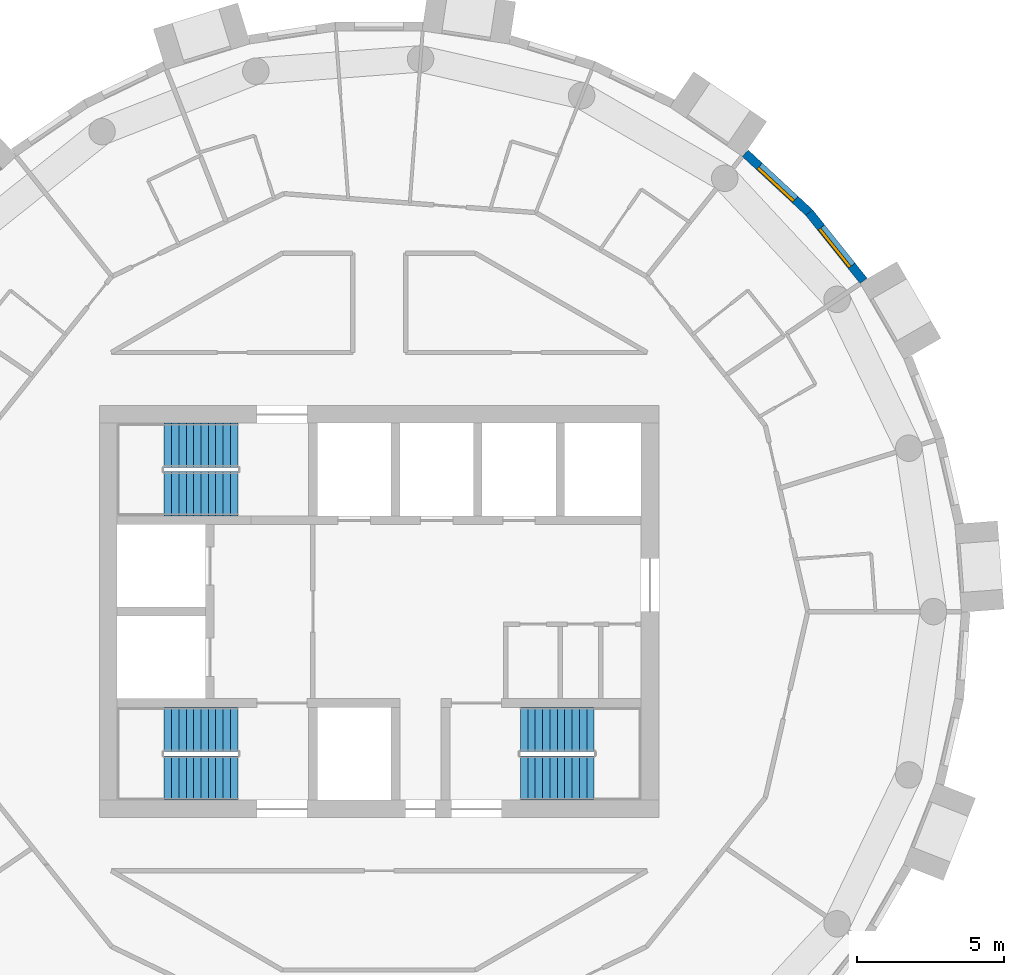
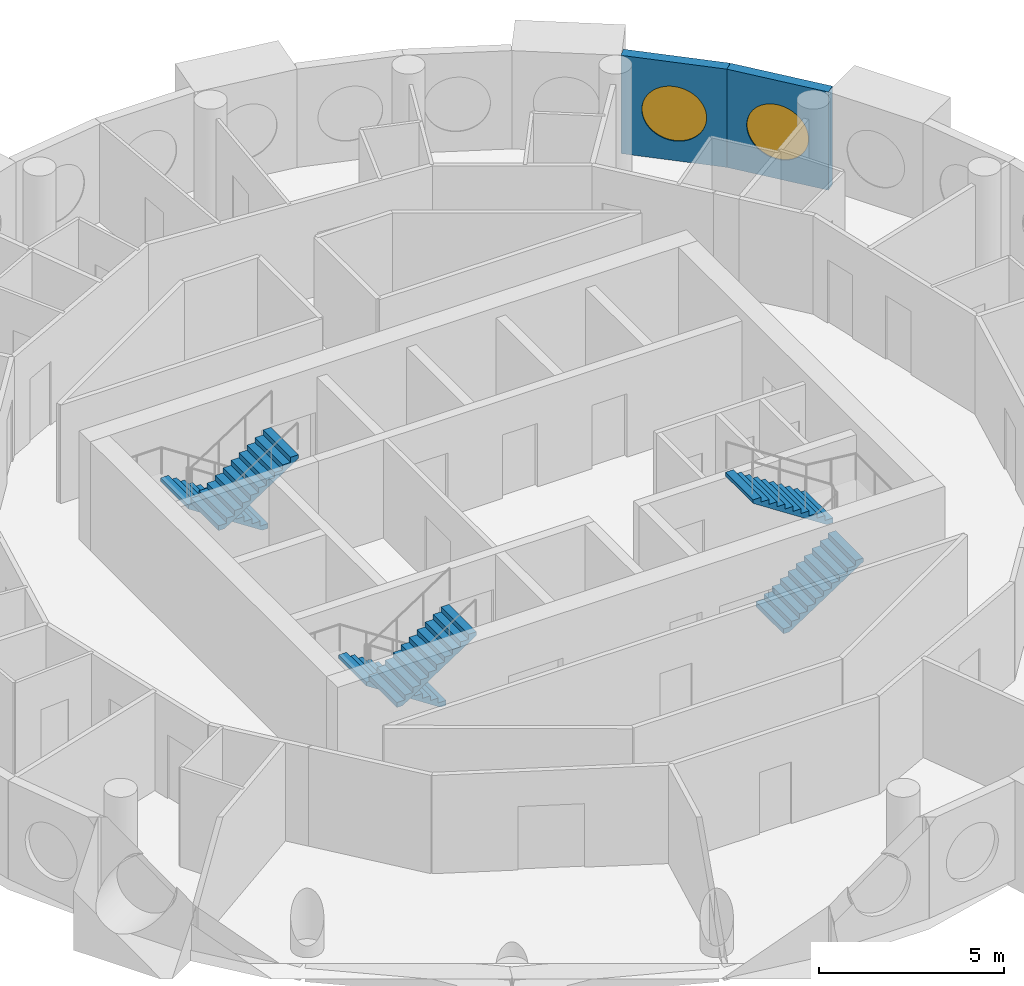
# One storey, part 11 of 12: 6 stair flights, 2 walls, 2 windows, 2 openings, 3 elements without a shape of their own.
"""IFC4 building model written with IfcOpenShell, lengths in metres."""

from ifc_helpers import new_model, si_unit, direction, frame, frame_2d, origin, origin_2d, place, context, subcontext, project, spatial, polyline, rectangle, circle, outline, extrude, material, layer, layer_set, type_object, element, fill, aggregate, save


model = new_model("IFC4")

# Units and contexts
model_context = context("Model", 3, precision=1e-05, world=origin(), true_north=direction((0.0, 1.0)))
body_context = subcontext(model_context, "Body", "Model", "MODEL_VIEW")
ifc_project = project(units=[si_unit("LENGTHUNIT", "METRE"), si_unit("AREAUNIT", "SQUARE_METRE"), si_unit("VOLUMEUNIT", "CUBIC_METRE"), si_unit("PLANEANGLEUNIT", "RADIAN"), si_unit("MASSUNIT", "GRAM", prefix="KILO")], contexts=[model_context])

# Site, building, storey
site_placement = place(None, origin())
site = spatial("IfcSite", under=ifc_project, at=site_placement, CompositionType="ELEMENT")
building_placement = place(site_placement, origin())
building = spatial("IfcBuilding", under=site, at=building_placement, Name="Tracery Tower", CompositionType="ELEMENT")
storey_placement = place(building_placement, frame((0.0, 0.0, 312.60009765625)))
storey = spatial("IfcBuildingStorey", under=building, at=storey_placement, Name="L81", CompositionType="ELEMENT", Elevation=312.60009765625)

# Wall, opening, window
ifc_material_1 = material(Name="Precast concrete C50/60", Category="concrete")
ifc_layer = layer(ifc_material_1, 0.300048828125)
ifc_layer_set = layer_set([ifc_layer], Name="Facade panel 3000 x 3250")
wall_type = type_object("IfcWallType", Name="Facade panel 3000 x 3250", PredefinedType="SOLIDWALL", material=ifc_layer_set)
wall_1_placement = place(storey_placement, frame((16.45068359375, 11.234375, 0.0), z_axis=(0.0, 0.0, 1.0), x_axis=(-0.623498236992, 0.781824755599, 0.0)))
wall_1 = element("IfcWall", 1, at=wall_1_placement, inside=storey, type_object=wall_type, Name="Facade panel 5 at L81", PredefinedType="SOLIDWALL", context=body_context, shape_type="SweptSolid", body=[
    extrude(rectangle(XDim=2.962158203125, YDim=0.300048828125, at=frame_2d((1.48095703125, 0.0))), origin(), (0.0, 0.0, 1.0), 3.25),
])
opening_1_placement = place(wall_1_placement, frame((1.48095703125, 0.0, 1.5498046875)))
opening_1 = element("IfcOpeningElement", 2, at=opening_1_placement, cuts=wall_1, Name="Opening WN1", PredefinedType="OPENING", context=body_context, shape_type="SweptSolid", body=[
    extrude(circle(Radius=0.9000244140625, at=origin_2d()), frame((0.0, 0.159912109375, 0.0), z_axis=(0.0, -1.0, 0.0), x_axis=(1.0, 0.0, 0.0)), (0.0, 0.0, 1.0), 0.320068359375),
])
ifc_material_2 = material(Name="Aluminium frame with tinted double glazing", Category="aluminium")
window_type = type_object("IfcWindowType", Name="Round window 1800", PartitioningType="SINGLE_PANEL", PredefinedType="WINDOW", material=ifc_material_2)
window_1_placement = place(opening_1_placement, origin())
window_1 = element("IfcWindow", 3, at=window_1_placement, inside=storey, type_object=window_type, Name="Round window 5 at L81", OverallHeight=1.800048828125, OverallWidth=1.800048828125, PartitioningType="SINGLE_PANEL", PredefinedType="WINDOW", context=body_context, shape_type="SweptSolid", body=[
    extrude(circle(Radius=0.9000244140625, at=origin_2d()), frame((0.0, 0.1201171875, 0.0), z_axis=(0.0, -1.0, 0.0), x_axis=(1.0, 0.0, 0.0)), (0.0, 0.0, 1.0), 0.10009765625),
])
fill(opening_1, window_1)

wall_2_placement = place(storey_placement, frame((14.603759765625, 13.55029296875, 0.0), z_axis=(0.0, 0.0, 1.0), x_axis=(-0.733066412643, 0.680157066165, 0.0)))
wall_2 = element("IfcWall", 4, at=wall_2_placement, inside=storey, type_object=wall_type, Name="Facade panel 6 at L81", PredefinedType="SOLIDWALL", context=body_context, shape_type="SweptSolid", body=[
    extrude(rectangle(XDim=2.96240234375, YDim=0.300048828125, at=frame_2d((1.481201171875, 0.0))), origin(), (0.0, 0.0, 1.0), 3.25),
])
opening_2_placement = place(wall_2_placement, frame((1.48095703125, 0.0, 1.5498046875)))
opening_2 = element("IfcOpeningElement", 5, at=opening_2_placement, cuts=wall_2, Name="Opening WN1", PredefinedType="OPENING", context=body_context, shape_type="SweptSolid", body=[
    extrude(circle(Radius=0.9000244140625, at=origin_2d()), frame((0.0, 0.159912109375, 0.0), z_axis=(0.0, -1.0, 0.0), x_axis=(1.0, 0.0, 0.0)), (0.0, 0.0, 1.0), 0.320068359375),
])
window_2_placement = place(opening_2_placement, origin())
window_2 = element("IfcWindow", 6, at=window_2_placement, inside=storey, type_object=window_type, Name="Round window 6 at L81", OverallHeight=1.800048828125, OverallWidth=1.800048828125, PartitioningType="SINGLE_PANEL", PredefinedType="WINDOW", context=body_context, shape_type="SweptSolid", body=[
    extrude(circle(Radius=0.9000244140625, at=origin_2d()), frame((0.0, 0.1201171875, 0.0), z_axis=(0.0, -1.0, 0.0), x_axis=(1.0, 0.0, 0.0)), (0.0, 0.0, 1.0), 0.10009765625),
])
fill(opening_2, window_2)

# Stair, stair flights
ifc_material_3 = material(Name="Concrete C32/40", Category="concrete")
stair_type = type_object("IfcStairType", Name="Core stair 22 risers", PredefinedType="HALF_TURN_STAIR", material=ifc_material_3)
stair_1_placement = place(storey_placement, origin())
stair_1 = element("IfcStair", 7, at=stair_1_placement, inside=storey, type_object=stair_type, Name="L81 stair ST1", PredefinedType="HALF_TURN_STAIR")
ifc_material_4 = material(Name="Concrete C32/40", Category="concrete")
stair_flight_type = type_object("IfcStairFlightType", Name="Core stair flight 11 risers", PredefinedType="STRAIGHT", material=ifc_material_4)
stair_flight_1_placement = place(storey_placement, frame((-4.800048828125, -4.0, 0.0), z_axis=(0.0, 0.0, 1.0), x_axis=(-1.0, 0.0, 0.0)))
stair_flight_1 = element("IfcStairFlight", 8, at=stair_flight_1_placement, type_object=stair_flight_type, Name="ST1 flight 1", NumberOfRisers=11, NumberOfTreads=10, PredefinedType="STRAIGHT", RiserHeight=0.163636364, TreadLength=0.25, context=body_context, shape_type="SweptSolid", body=[
    extrude(outline(polyline([(0.0, 0.0), (0.0, 0.002685546875), (0.0, 0.00537109375), (0.0, 0.008056640625), (0.0, 0.0107421875), (0.0, 0.013427734375), (0.0, 0.01611328125), (0.0, 0.018798828125), (0.0, 0.021484375), (0.0, 0.024169921875), (0.0, 0.02685546875), (0.0, 0.029541015625), (0.0, 0.0322265625), (0.0, 0.034912109375), (0.0, 0.03759765625), (0.0, 0.040283203125), (0.0, 0.04296875), (0.0, 0.045654296875), (0.0, 0.04833984375), (0.0, 0.051025390625), (0.0, 0.0537109375), (0.0, 0.056396484375), (0.0, 0.05908203125), (0.0, 0.061767578125), (0.0, 0.064453125), (0.0, 0.067138671875), (0.0, 0.06982421875), (0.0, 0.072509765625), (0.0, 0.0751953125), (0.0, 0.077880859375), (0.0, 0.08056640625), (0.0, 0.083251953125), (0.0, 0.0859375), (0.0, 0.088623046875), (0.0, 0.09130859375), (0.0, 0.093994140625), (0.0, 0.0966796875), (0.0, 0.099365234375), (0.0, 0.10205078125), (0.0, 0.104736328125), (0.0, 0.107421875), (0.0, 0.10986328125), (0.0, 0.112548828125), (0.0, 0.115234375), (0.0, 0.117919921875), (0.0, 0.12060546875), (0.0, 0.123291015625), (0.0, 0.1259765625), (0.0, 0.128662109375), (0.0, 0.13134765625), (0.0, 0.134033203125), (0.0, 0.13671875), (0.0, 0.139404296875), (0.0, 0.14208984375), (0.0, 0.144775390625), (0.0, 0.1474609375), (0.0, 0.150146484375), (0.0, 0.15283203125), (0.0, 0.155517578125), (0.0, 0.158203125), (0.0, 0.160888671875), (0.0, 0.16357421875), (0.25, 0.16357421875), (0.25, 0.327392578125), (0.5, 0.327392578125), (0.5, 0.490966796875), (0.75, 0.490966796875), (0.75, 0.654541015625), (1.0, 0.654541015625), (1.0, 0.818115234375), (1.25, 0.818115234375), (1.25, 0.98193359375), (1.5, 0.98193359375), (1.5, 1.1455078125), (1.75, 1.1455078125), (1.75, 1.30908203125), (2.0, 1.30908203125), (2.0, 1.47265625), (2.25, 1.47265625), (2.25, 1.636474609375), (2.5, 1.636474609375), (2.5, 1.634521484375), (2.5, 1.63232421875), (2.5, 1.63037109375), (2.5, 1.62841796875), (2.5, 1.62646484375), (2.5, 1.62451171875), (2.5, 1.62255859375), (2.5, 1.62060546875), (2.5, 1.61865234375), (2.5, 1.61669921875), (2.5, 1.61474609375), (2.5, 1.61279296875), (2.5, 1.61083984375), (2.5, 1.60888671875), (2.5, 1.60693359375), (2.5, 1.60498046875), (2.5, 1.60302734375), (2.5, 1.60107421875), (2.5, 1.59912109375), (2.5, 1.59716796875), (2.5, 1.59521484375), (2.5, 1.59326171875), (2.5, 1.59130859375), (2.5, 1.58935546875), (2.5, 1.58740234375), (2.5, 1.58544921875), (2.5, 1.58349609375), (2.5, 1.58154296875), (2.5, 1.57958984375), (2.5, 1.57763671875), (2.5, 1.57568359375), (2.5, 1.573486328125), (2.5, 1.571533203125), (2.5, 1.569580078125), (2.5, 1.567626953125), (2.5, 1.565673828125), (2.5, 1.563720703125), (2.5, 1.561767578125), (2.5, 1.559814453125), (2.5, 1.557861328125), (2.5, 1.555908203125), (2.5, 1.553955078125), (2.5, 1.552001953125), (2.5, 1.550048828125), (2.5, 1.548095703125), (2.5, 1.546142578125), (2.5, 1.544189453125), (2.5, 1.542236328125), (2.5, 1.540283203125), (2.5, 1.538330078125), (2.5, 1.536376953125), (2.5, 1.534423828125), (2.5, 1.532470703125), (2.5, 1.530517578125), (2.5, 1.528564453125), (2.5, 1.526611328125), (2.5, 1.524658203125), (2.5, 1.522705078125), (2.5, 1.520751953125), (2.5, 1.518798828125), (2.5, 1.516845703125), (0.182861328125, 0.0), (0.0, 0.0)])), frame((0.0, 0.75, 0.0), z_axis=(0.0, -1.0, 0.0), x_axis=(1.0, 0.0, 0.0)), (0.0, 0.0, 1.0), 1.5),
])
stair_flight_2_placement = place(storey_placement, frame((-7.300048828125, -5.64990234375, 1.7998046875), z_axis=(0.0, 0.0, 1.0), x_axis=(1.0, 0.0, 0.0)))
stair_flight_2 = element("IfcStairFlight", 9, at=stair_flight_2_placement, type_object=stair_flight_type, Name="ST1 flight 2", NumberOfRisers=11, NumberOfTreads=10, PredefinedType="STRAIGHT", RiserHeight=0.163636364, TreadLength=0.25, context=body_context, shape_type="SweptSolid", body=[
    extrude(outline(polyline([(0.0, 0.0), (0.0, 0.002685546875), (0.0, 0.00537109375), (0.0, 0.008056640625), (0.0, 0.0107421875), (0.0, 0.013427734375), (0.0, 0.01611328125), (0.0, 0.018798828125), (0.0, 0.021484375), (0.0, 0.024169921875), (0.0, 0.02685546875), (0.0, 0.029541015625), (0.0, 0.0322265625), (0.0, 0.034912109375), (0.0, 0.03759765625), (0.0, 0.040283203125), (0.0, 0.04296875), (0.0, 0.045654296875), (0.0, 0.04833984375), (0.0, 0.051025390625), (0.0, 0.0537109375), (0.0, 0.056396484375), (0.0, 0.05908203125), (0.0, 0.061767578125), (0.0, 0.064453125), (0.0, 0.067138671875), (0.0, 0.06982421875), (0.0, 0.072509765625), (0.0, 0.0751953125), (0.0, 0.077880859375), (0.0, 0.08056640625), (0.0, 0.083251953125), (0.0, 0.0859375), (0.0, 0.088623046875), (0.0, 0.09130859375), (0.0, 0.093994140625), (0.0, 0.0966796875), (0.0, 0.099365234375), (0.0, 0.10205078125), (0.0, 0.104736328125), (0.0, 0.107421875), (0.0, 0.10986328125), (0.0, 0.112548828125), (0.0, 0.115234375), (0.0, 0.117919921875), (0.0, 0.12060546875), (0.0, 0.123291015625), (0.0, 0.1259765625), (0.0, 0.128662109375), (0.0, 0.13134765625), (0.0, 0.134033203125), (0.0, 0.13671875), (0.0, 0.139404296875), (0.0, 0.14208984375), (0.0, 0.144775390625), (0.0, 0.1474609375), (0.0, 0.150146484375), (0.0, 0.15283203125), (0.0, 0.155517578125), (0.0, 0.158203125), (0.0, 0.160888671875), (0.0, 0.16357421875), (0.25, 0.16357421875), (0.25, 0.327392578125), (0.5, 0.327392578125), (0.5, 0.490966796875), (0.75, 0.490966796875), (0.75, 0.654541015625), (1.0, 0.654541015625), (1.0, 0.818115234375), (1.25, 0.818115234375), (1.25, 0.98193359375), (1.5, 0.98193359375), (1.5, 1.1455078125), (1.75, 1.1455078125), (1.75, 1.30908203125), (2.0, 1.30908203125), (2.0, 1.47265625), (2.25, 1.47265625), (2.25, 1.636474609375), (2.5, 1.636474609375), (2.5, 1.634521484375), (2.5, 1.63232421875), (2.5, 1.63037109375), (2.5, 1.62841796875), (2.5, 1.62646484375), (2.5, 1.62451171875), (2.5, 1.62255859375), (2.5, 1.62060546875), (2.5, 1.61865234375), (2.5, 1.61669921875), (2.5, 1.61474609375), (2.5, 1.61279296875), (2.5, 1.61083984375), (2.5, 1.60888671875), (2.5, 1.60693359375), (2.5, 1.60498046875), (2.5, 1.60302734375), (2.5, 1.60107421875), (2.5, 1.59912109375), (2.5, 1.59716796875), (2.5, 1.59521484375), (2.5, 1.59326171875), (2.5, 1.59130859375), (2.5, 1.58935546875), (2.5, 1.58740234375), (2.5, 1.58544921875), (2.5, 1.58349609375), (2.5, 1.58154296875), (2.5, 1.57958984375), (2.5, 1.57763671875), (2.5, 1.57568359375), (2.5, 1.573486328125), (2.5, 1.571533203125), (2.5, 1.569580078125), (2.5, 1.567626953125), (2.5, 1.565673828125), (2.5, 1.563720703125), (2.5, 1.561767578125), (2.5, 1.559814453125), (2.5, 1.557861328125), (2.5, 1.555908203125), (2.5, 1.553955078125), (2.5, 1.552001953125), (2.5, 1.550048828125), (2.5, 1.548095703125), (2.5, 1.546142578125), (2.5, 1.544189453125), (2.5, 1.542236328125), (2.5, 1.540283203125), (2.5, 1.538330078125), (2.5, 1.536376953125), (2.5, 1.534423828125), (2.5, 1.532470703125), (2.5, 1.530517578125), (2.5, 1.528564453125), (2.5, 1.526611328125), (2.5, 1.524658203125), (2.5, 1.522705078125), (2.5, 1.520751953125), (2.5, 1.518798828125), (2.5, 1.516845703125), (0.182861328125, 0.0), (0.0, 0.0)])), frame((0.0, 0.75, 0.0), z_axis=(0.0, -1.0, 0.0), x_axis=(1.0, 0.0, 0.0)), (0.0, 0.0, 1.0), 1.5),
])
aggregate(stair_1, [stair_flight_1, stair_flight_2])

stair_2_placement = place(storey_placement, origin())
stair_2 = element("IfcStair", 10, at=stair_2_placement, inside=storey, type_object=stair_type, Name="L81 stair ST3", PredefinedType="HALF_TURN_STAIR")
stair_flight_3_placement = place(storey_placement, frame((-4.800048828125, 5.64990234375, 0.0), z_axis=(0.0, 0.0, 1.0), x_axis=(-1.0, 0.0, 0.0)))
stair_flight_3 = element("IfcStairFlight", 11, at=stair_flight_3_placement, type_object=stair_flight_type, Name="ST3 flight 1", NumberOfRisers=11, NumberOfTreads=10, PredefinedType="STRAIGHT", RiserHeight=0.163636364, TreadLength=0.25, context=body_context, shape_type="SweptSolid", body=[
    extrude(outline(polyline([(0.0, 0.0), (0.0, 0.002685546875), (0.0, 0.00537109375), (0.0, 0.008056640625), (0.0, 0.0107421875), (0.0, 0.013427734375), (0.0, 0.01611328125), (0.0, 0.018798828125), (0.0, 0.021484375), (0.0, 0.024169921875), (0.0, 0.02685546875), (0.0, 0.029541015625), (0.0, 0.0322265625), (0.0, 0.034912109375), (0.0, 0.03759765625), (0.0, 0.040283203125), (0.0, 0.04296875), (0.0, 0.045654296875), (0.0, 0.04833984375), (0.0, 0.051025390625), (0.0, 0.0537109375), (0.0, 0.056396484375), (0.0, 0.05908203125), (0.0, 0.061767578125), (0.0, 0.064453125), (0.0, 0.067138671875), (0.0, 0.06982421875), (0.0, 0.072509765625), (0.0, 0.0751953125), (0.0, 0.077880859375), (0.0, 0.08056640625), (0.0, 0.083251953125), (0.0, 0.0859375), (0.0, 0.088623046875), (0.0, 0.09130859375), (0.0, 0.093994140625), (0.0, 0.0966796875), (0.0, 0.099365234375), (0.0, 0.10205078125), (0.0, 0.104736328125), (0.0, 0.107421875), (0.0, 0.10986328125), (0.0, 0.112548828125), (0.0, 0.115234375), (0.0, 0.117919921875), (0.0, 0.12060546875), (0.0, 0.123291015625), (0.0, 0.1259765625), (0.0, 0.128662109375), (0.0, 0.13134765625), (0.0, 0.134033203125), (0.0, 0.13671875), (0.0, 0.139404296875), (0.0, 0.14208984375), (0.0, 0.144775390625), (0.0, 0.1474609375), (0.0, 0.150146484375), (0.0, 0.15283203125), (0.0, 0.155517578125), (0.0, 0.158203125), (0.0, 0.160888671875), (0.0, 0.16357421875), (0.25, 0.16357421875), (0.25, 0.327392578125), (0.5, 0.327392578125), (0.5, 0.490966796875), (0.75, 0.490966796875), (0.75, 0.654541015625), (1.0, 0.654541015625), (1.0, 0.818115234375), (1.25, 0.818115234375), (1.25, 0.98193359375), (1.5, 0.98193359375), (1.5, 1.1455078125), (1.75, 1.1455078125), (1.75, 1.30908203125), (2.0, 1.30908203125), (2.0, 1.47265625), (2.25, 1.47265625), (2.25, 1.636474609375), (2.5, 1.636474609375), (2.5, 1.634521484375), (2.5, 1.63232421875), (2.5, 1.63037109375), (2.5, 1.62841796875), (2.5, 1.62646484375), (2.5, 1.62451171875), (2.5, 1.62255859375), (2.5, 1.62060546875), (2.5, 1.61865234375), (2.5, 1.61669921875), (2.5, 1.61474609375), (2.5, 1.61279296875), (2.5, 1.61083984375), (2.5, 1.60888671875), (2.5, 1.60693359375), (2.5, 1.60498046875), (2.5, 1.60302734375), (2.5, 1.60107421875), (2.5, 1.59912109375), (2.5, 1.59716796875), (2.5, 1.59521484375), (2.5, 1.59326171875), (2.5, 1.59130859375), (2.5, 1.58935546875), (2.5, 1.58740234375), (2.5, 1.58544921875), (2.5, 1.58349609375), (2.5, 1.58154296875), (2.5, 1.57958984375), (2.5, 1.57763671875), (2.5, 1.57568359375), (2.5, 1.573486328125), (2.5, 1.571533203125), (2.5, 1.569580078125), (2.5, 1.567626953125), (2.5, 1.565673828125), (2.5, 1.563720703125), (2.5, 1.561767578125), (2.5, 1.559814453125), (2.5, 1.557861328125), (2.5, 1.555908203125), (2.5, 1.553955078125), (2.5, 1.552001953125), (2.5, 1.550048828125), (2.5, 1.548095703125), (2.5, 1.546142578125), (2.5, 1.544189453125), (2.5, 1.542236328125), (2.5, 1.540283203125), (2.5, 1.538330078125), (2.5, 1.536376953125), (2.5, 1.534423828125), (2.5, 1.532470703125), (2.5, 1.530517578125), (2.5, 1.528564453125), (2.5, 1.526611328125), (2.5, 1.524658203125), (2.5, 1.522705078125), (2.5, 1.520751953125), (2.5, 1.518798828125), (2.5, 1.516845703125), (0.182861328125, 0.0), (0.0, 0.0)])), frame((0.0, 0.75, 0.0), z_axis=(0.0, -1.0, 0.0), x_axis=(1.0, 0.0, 0.0)), (0.0, 0.0, 1.0), 1.5),
])
stair_flight_4_placement = place(storey_placement, frame((-7.300048828125, 4.0, 1.7998046875), z_axis=(0.0, 0.0, 1.0), x_axis=(1.0, 0.0, 0.0)))
stair_flight_4 = element("IfcStairFlight", 12, at=stair_flight_4_placement, type_object=stair_flight_type, Name="ST3 flight 2", NumberOfRisers=11, NumberOfTreads=10, PredefinedType="STRAIGHT", RiserHeight=0.163636364, TreadLength=0.25, context=body_context, shape_type="SweptSolid", body=[
    extrude(outline(polyline([(0.0, 0.0), (0.0, 0.002685546875), (0.0, 0.00537109375), (0.0, 0.008056640625), (0.0, 0.0107421875), (0.0, 0.013427734375), (0.0, 0.01611328125), (0.0, 0.018798828125), (0.0, 0.021484375), (0.0, 0.024169921875), (0.0, 0.02685546875), (0.0, 0.029541015625), (0.0, 0.0322265625), (0.0, 0.034912109375), (0.0, 0.03759765625), (0.0, 0.040283203125), (0.0, 0.04296875), (0.0, 0.045654296875), (0.0, 0.04833984375), (0.0, 0.051025390625), (0.0, 0.0537109375), (0.0, 0.056396484375), (0.0, 0.05908203125), (0.0, 0.061767578125), (0.0, 0.064453125), (0.0, 0.067138671875), (0.0, 0.06982421875), (0.0, 0.072509765625), (0.0, 0.0751953125), (0.0, 0.077880859375), (0.0, 0.08056640625), (0.0, 0.083251953125), (0.0, 0.0859375), (0.0, 0.088623046875), (0.0, 0.09130859375), (0.0, 0.093994140625), (0.0, 0.0966796875), (0.0, 0.099365234375), (0.0, 0.10205078125), (0.0, 0.104736328125), (0.0, 0.107421875), (0.0, 0.10986328125), (0.0, 0.112548828125), (0.0, 0.115234375), (0.0, 0.117919921875), (0.0, 0.12060546875), (0.0, 0.123291015625), (0.0, 0.1259765625), (0.0, 0.128662109375), (0.0, 0.13134765625), (0.0, 0.134033203125), (0.0, 0.13671875), (0.0, 0.139404296875), (0.0, 0.14208984375), (0.0, 0.144775390625), (0.0, 0.1474609375), (0.0, 0.150146484375), (0.0, 0.15283203125), (0.0, 0.155517578125), (0.0, 0.158203125), (0.0, 0.160888671875), (0.0, 0.16357421875), (0.25, 0.16357421875), (0.25, 0.327392578125), (0.5, 0.327392578125), (0.5, 0.490966796875), (0.75, 0.490966796875), (0.75, 0.654541015625), (1.0, 0.654541015625), (1.0, 0.818115234375), (1.25, 0.818115234375), (1.25, 0.98193359375), (1.5, 0.98193359375), (1.5, 1.1455078125), (1.75, 1.1455078125), (1.75, 1.30908203125), (2.0, 1.30908203125), (2.0, 1.47265625), (2.25, 1.47265625), (2.25, 1.636474609375), (2.5, 1.636474609375), (2.5, 1.634521484375), (2.5, 1.63232421875), (2.5, 1.63037109375), (2.5, 1.62841796875), (2.5, 1.62646484375), (2.5, 1.62451171875), (2.5, 1.62255859375), (2.5, 1.62060546875), (2.5, 1.61865234375), (2.5, 1.61669921875), (2.5, 1.61474609375), (2.5, 1.61279296875), (2.5, 1.61083984375), (2.5, 1.60888671875), (2.5, 1.60693359375), (2.5, 1.60498046875), (2.5, 1.60302734375), (2.5, 1.60107421875), (2.5, 1.59912109375), (2.5, 1.59716796875), (2.5, 1.59521484375), (2.5, 1.59326171875), (2.5, 1.59130859375), (2.5, 1.58935546875), (2.5, 1.58740234375), (2.5, 1.58544921875), (2.5, 1.58349609375), (2.5, 1.58154296875), (2.5, 1.57958984375), (2.5, 1.57763671875), (2.5, 1.57568359375), (2.5, 1.573486328125), (2.5, 1.571533203125), (2.5, 1.569580078125), (2.5, 1.567626953125), (2.5, 1.565673828125), (2.5, 1.563720703125), (2.5, 1.561767578125), (2.5, 1.559814453125), (2.5, 1.557861328125), (2.5, 1.555908203125), (2.5, 1.553955078125), (2.5, 1.552001953125), (2.5, 1.550048828125), (2.5, 1.548095703125), (2.5, 1.546142578125), (2.5, 1.544189453125), (2.5, 1.542236328125), (2.5, 1.540283203125), (2.5, 1.538330078125), (2.5, 1.536376953125), (2.5, 1.534423828125), (2.5, 1.532470703125), (2.5, 1.530517578125), (2.5, 1.528564453125), (2.5, 1.526611328125), (2.5, 1.524658203125), (2.5, 1.522705078125), (2.5, 1.520751953125), (2.5, 1.518798828125), (2.5, 1.516845703125), (0.182861328125, 0.0), (0.0, 0.0)])), frame((0.0, 0.75, 0.0), z_axis=(0.0, -1.0, 0.0), x_axis=(1.0, 0.0, 0.0)), (0.0, 0.0, 1.0), 1.5),
])
aggregate(stair_2, [stair_flight_3, stair_flight_4])

stair_3_placement = place(storey_placement, origin())
stair_3 = element("IfcStair", 13, at=stair_3_placement, inside=storey, type_object=stair_type, Name="L81 stair ST2", PredefinedType="HALF_TURN_STAIR")
stair_flight_5_placement = place(storey_placement, frame((4.800048828125, -5.64990234375, 0.0), z_axis=(0.0, 0.0, 1.0), x_axis=(1.0, 0.0, 0.0)))
stair_flight_5 = element("IfcStairFlight", 14, at=stair_flight_5_placement, type_object=stair_flight_type, Name="ST2 flight 1", NumberOfRisers=11, NumberOfTreads=10, PredefinedType="STRAIGHT", RiserHeight=0.163636364, TreadLength=0.25, context=body_context, shape_type="SweptSolid", body=[
    extrude(outline(polyline([(0.0, 0.0), (0.0, 0.002685546875), (0.0, 0.00537109375), (0.0, 0.008056640625), (0.0, 0.0107421875), (0.0, 0.013427734375), (0.0, 0.01611328125), (0.0, 0.018798828125), (0.0, 0.021484375), (0.0, 0.024169921875), (0.0, 0.02685546875), (0.0, 0.029541015625), (0.0, 0.0322265625), (0.0, 0.034912109375), (0.0, 0.03759765625), (0.0, 0.040283203125), (0.0, 0.04296875), (0.0, 0.045654296875), (0.0, 0.04833984375), (0.0, 0.051025390625), (0.0, 0.0537109375), (0.0, 0.056396484375), (0.0, 0.05908203125), (0.0, 0.061767578125), (0.0, 0.064453125), (0.0, 0.067138671875), (0.0, 0.06982421875), (0.0, 0.072509765625), (0.0, 0.0751953125), (0.0, 0.077880859375), (0.0, 0.08056640625), (0.0, 0.083251953125), (0.0, 0.0859375), (0.0, 0.088623046875), (0.0, 0.09130859375), (0.0, 0.093994140625), (0.0, 0.0966796875), (0.0, 0.099365234375), (0.0, 0.10205078125), (0.0, 0.104736328125), (0.0, 0.107421875), (0.0, 0.10986328125), (0.0, 0.112548828125), (0.0, 0.115234375), (0.0, 0.117919921875), (0.0, 0.12060546875), (0.0, 0.123291015625), (0.0, 0.1259765625), (0.0, 0.128662109375), (0.0, 0.13134765625), (0.0, 0.134033203125), (0.0, 0.13671875), (0.0, 0.139404296875), (0.0, 0.14208984375), (0.0, 0.144775390625), (0.0, 0.1474609375), (0.0, 0.150146484375), (0.0, 0.15283203125), (0.0, 0.155517578125), (0.0, 0.158203125), (0.0, 0.160888671875), (0.0, 0.16357421875), (0.25, 0.16357421875), (0.25, 0.327392578125), (0.5, 0.327392578125), (0.5, 0.490966796875), (0.75, 0.490966796875), (0.75, 0.654541015625), (1.0, 0.654541015625), (1.0, 0.818115234375), (1.25, 0.818115234375), (1.25, 0.98193359375), (1.5, 0.98193359375), (1.5, 1.1455078125), (1.75, 1.1455078125), (1.75, 1.30908203125), (2.0, 1.30908203125), (2.0, 1.47265625), (2.25, 1.47265625), (2.25, 1.636474609375), (2.5, 1.636474609375), (2.5, 1.634521484375), (2.5, 1.63232421875), (2.5, 1.63037109375), (2.5, 1.62841796875), (2.5, 1.62646484375), (2.5, 1.62451171875), (2.5, 1.62255859375), (2.5, 1.62060546875), (2.5, 1.61865234375), (2.5, 1.61669921875), (2.5, 1.61474609375), (2.5, 1.61279296875), (2.5, 1.61083984375), (2.5, 1.60888671875), (2.5, 1.60693359375), (2.5, 1.60498046875), (2.5, 1.60302734375), (2.5, 1.60107421875), (2.5, 1.59912109375), (2.5, 1.59716796875), (2.5, 1.59521484375), (2.5, 1.59326171875), (2.5, 1.59130859375), (2.5, 1.58935546875), (2.5, 1.58740234375), (2.5, 1.58544921875), (2.5, 1.58349609375), (2.5, 1.58154296875), (2.5, 1.57958984375), (2.5, 1.57763671875), (2.5, 1.57568359375), (2.5, 1.573486328125), (2.5, 1.571533203125), (2.5, 1.569580078125), (2.5, 1.567626953125), (2.5, 1.565673828125), (2.5, 1.563720703125), (2.5, 1.561767578125), (2.5, 1.559814453125), (2.5, 1.557861328125), (2.5, 1.555908203125), (2.5, 1.553955078125), (2.5, 1.552001953125), (2.5, 1.550048828125), (2.5, 1.548095703125), (2.5, 1.546142578125), (2.5, 1.544189453125), (2.5, 1.542236328125), (2.5, 1.540283203125), (2.5, 1.538330078125), (2.5, 1.536376953125), (2.5, 1.534423828125), (2.5, 1.532470703125), (2.5, 1.530517578125), (2.5, 1.528564453125), (2.5, 1.526611328125), (2.5, 1.524658203125), (2.5, 1.522705078125), (2.5, 1.520751953125), (2.5, 1.518798828125), (2.5, 1.516845703125), (0.182861328125, 0.0), (0.0, 0.0)])), frame((0.0, 0.75, 0.0), z_axis=(0.0, -1.0, 0.0), x_axis=(1.0, 0.0, 0.0)), (0.0, 0.0, 1.0), 1.5),
])
stair_flight_6_placement = place(storey_placement, frame((7.300048828125, -4.0, 1.7998046875), z_axis=(0.0, 0.0, 1.0), x_axis=(-1.0, 0.0, 0.0)))
stair_flight_6 = element("IfcStairFlight", 15, at=stair_flight_6_placement, type_object=stair_flight_type, Name="ST2 flight 2", NumberOfRisers=11, NumberOfTreads=10, PredefinedType="STRAIGHT", RiserHeight=0.163636364, TreadLength=0.25, context=body_context, shape_type="SweptSolid", body=[
    extrude(outline(polyline([(0.0, 0.0), (0.0, 0.002685546875), (0.0, 0.00537109375), (0.0, 0.008056640625), (0.0, 0.0107421875), (0.0, 0.013427734375), (0.0, 0.01611328125), (0.0, 0.018798828125), (0.0, 0.021484375), (0.0, 0.024169921875), (0.0, 0.02685546875), (0.0, 0.029541015625), (0.0, 0.0322265625), (0.0, 0.034912109375), (0.0, 0.03759765625), (0.0, 0.040283203125), (0.0, 0.04296875), (0.0, 0.045654296875), (0.0, 0.04833984375), (0.0, 0.051025390625), (0.0, 0.0537109375), (0.0, 0.056396484375), (0.0, 0.05908203125), (0.0, 0.061767578125), (0.0, 0.064453125), (0.0, 0.067138671875), (0.0, 0.06982421875), (0.0, 0.072509765625), (0.0, 0.0751953125), (0.0, 0.077880859375), (0.0, 0.08056640625), (0.0, 0.083251953125), (0.0, 0.0859375), (0.0, 0.088623046875), (0.0, 0.09130859375), (0.0, 0.093994140625), (0.0, 0.0966796875), (0.0, 0.099365234375), (0.0, 0.10205078125), (0.0, 0.104736328125), (0.0, 0.107421875), (0.0, 0.10986328125), (0.0, 0.112548828125), (0.0, 0.115234375), (0.0, 0.117919921875), (0.0, 0.12060546875), (0.0, 0.123291015625), (0.0, 0.1259765625), (0.0, 0.128662109375), (0.0, 0.13134765625), (0.0, 0.134033203125), (0.0, 0.13671875), (0.0, 0.139404296875), (0.0, 0.14208984375), (0.0, 0.144775390625), (0.0, 0.1474609375), (0.0, 0.150146484375), (0.0, 0.15283203125), (0.0, 0.155517578125), (0.0, 0.158203125), (0.0, 0.160888671875), (0.0, 0.16357421875), (0.25, 0.16357421875), (0.25, 0.327392578125), (0.5, 0.327392578125), (0.5, 0.490966796875), (0.75, 0.490966796875), (0.75, 0.654541015625), (1.0, 0.654541015625), (1.0, 0.818115234375), (1.25, 0.818115234375), (1.25, 0.98193359375), (1.5, 0.98193359375), (1.5, 1.1455078125), (1.75, 1.1455078125), (1.75, 1.30908203125), (2.0, 1.30908203125), (2.0, 1.47265625), (2.25, 1.47265625), (2.25, 1.636474609375), (2.5, 1.636474609375), (2.5, 1.634521484375), (2.5, 1.63232421875), (2.5, 1.63037109375), (2.5, 1.62841796875), (2.5, 1.62646484375), (2.5, 1.62451171875), (2.5, 1.62255859375), (2.5, 1.62060546875), (2.5, 1.61865234375), (2.5, 1.61669921875), (2.5, 1.61474609375), (2.5, 1.61279296875), (2.5, 1.61083984375), (2.5, 1.60888671875), (2.5, 1.60693359375), (2.5, 1.60498046875), (2.5, 1.60302734375), (2.5, 1.60107421875), (2.5, 1.59912109375), (2.5, 1.59716796875), (2.5, 1.59521484375), (2.5, 1.59326171875), (2.5, 1.59130859375), (2.5, 1.58935546875), (2.5, 1.58740234375), (2.5, 1.58544921875), (2.5, 1.58349609375), (2.5, 1.58154296875), (2.5, 1.57958984375), (2.5, 1.57763671875), (2.5, 1.57568359375), (2.5, 1.573486328125), (2.5, 1.571533203125), (2.5, 1.569580078125), (2.5, 1.567626953125), (2.5, 1.565673828125), (2.5, 1.563720703125), (2.5, 1.561767578125), (2.5, 1.559814453125), (2.5, 1.557861328125), (2.5, 1.555908203125), (2.5, 1.553955078125), (2.5, 1.552001953125), (2.5, 1.550048828125), (2.5, 1.548095703125), (2.5, 1.546142578125), (2.5, 1.544189453125), (2.5, 1.542236328125), (2.5, 1.540283203125), (2.5, 1.538330078125), (2.5, 1.536376953125), (2.5, 1.534423828125), (2.5, 1.532470703125), (2.5, 1.530517578125), (2.5, 1.528564453125), (2.5, 1.526611328125), (2.5, 1.524658203125), (2.5, 1.522705078125), (2.5, 1.520751953125), (2.5, 1.518798828125), (2.5, 1.516845703125), (0.182861328125, 0.0), (0.0, 0.0)])), frame((0.0, 0.75, 0.0), z_axis=(0.0, -1.0, 0.0), x_axis=(1.0, 0.0, 0.0)), (0.0, 0.0, 1.0), 1.5),
])
aggregate(stair_3, [stair_flight_5, stair_flight_6])

save(model, "model.ifc")
